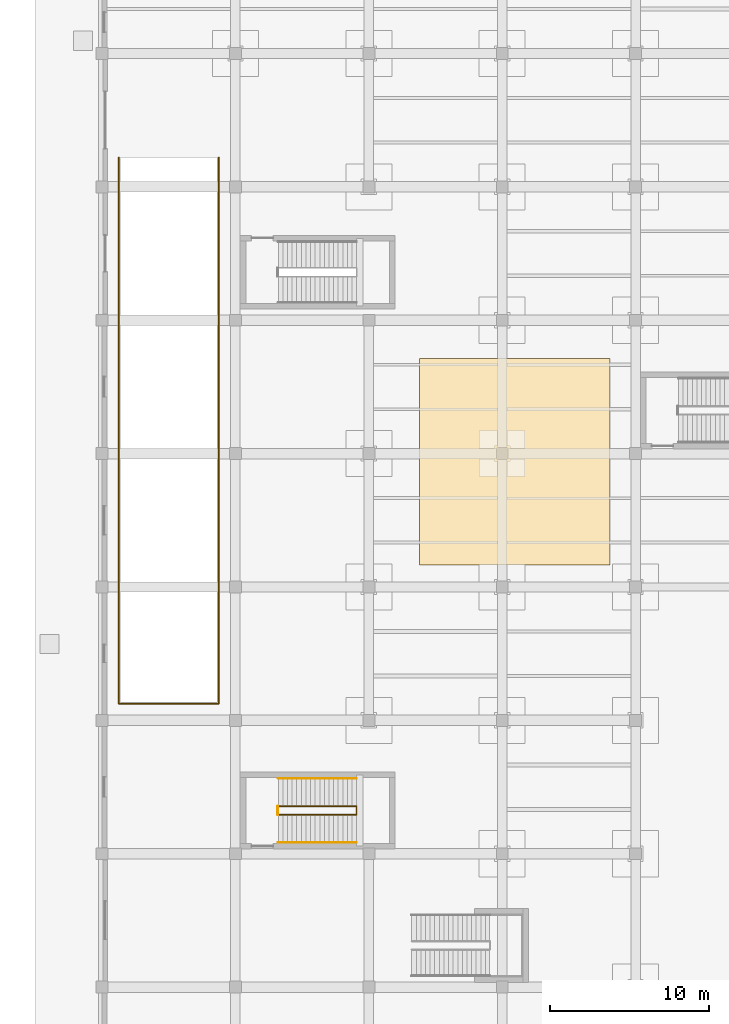
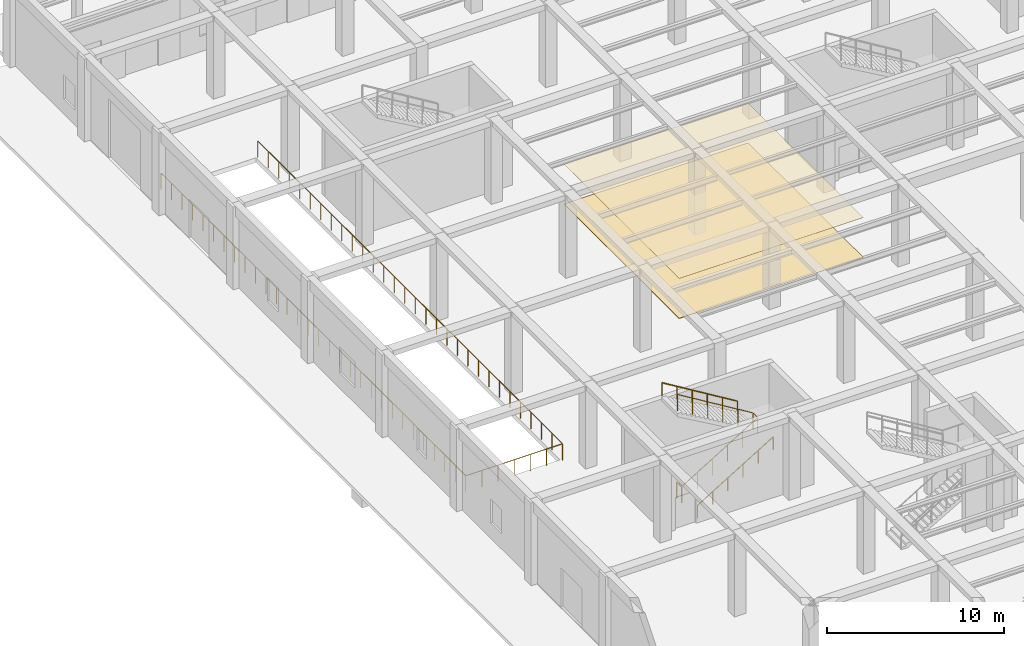
# One storey, part 36 of 43: 5 railings, 2 coverings.
"""IFC4 building model written with IfcOpenShell, lengths in metres."""

from ifc_helpers import new_model, si_unit, direction, frame, origin, origin_2d, place, context, subcontext, project, spatial, polyline, circle, outline, extrude, material, layer, layer_set, type_object, element, save


model = new_model("IFC4")

# Units and contexts
model_context = context("Model", 3, precision=1e-05, world=origin(), true_north=direction((0.0, 1.0)))
body_context = subcontext(model_context, "Body", "Model", "MODEL_VIEW")
ifc_project = project(units=[si_unit("LENGTHUNIT", "METRE"), si_unit("AREAUNIT", "SQUARE_METRE"), si_unit("VOLUMEUNIT", "CUBIC_METRE"), si_unit("PLANEANGLEUNIT", "RADIAN"), si_unit("MASSUNIT", "GRAM", prefix="KILO")], contexts=[model_context])

# Site, building, storey
site_placement = place(None, origin())
site = spatial("IfcSite", under=ifc_project, at=site_placement, CompositionType="ELEMENT")
building_placement = place(site_placement, origin())
building = spatial("IfcBuilding", under=site, at=building_placement, Name="Almacenes y Pasaje Nevantli", CompositionType="ELEMENT")
storey_placement = place(building_placement, origin())
storey = spatial("IfcBuildingStorey", under=building, at=storey_placement, Name="L01", CompositionType="ELEMENT", Elevation=0.0)

# Coverings
ifc_material_1 = material(Name="Perforated Acoustic Mineral Fiber Ceiling", Category="gypsum")
ifc_layer_1 = layer(ifc_material_1, 0.02001953125)
ifc_layer_set_1 = layer_set([ifc_layer_1], Name="Perforated Acoustic Mineral Fiber Ceiling")
covering_type_1 = type_object("IfcCoveringType", Name="COV-CEIL-ACU", PredefinedType="CEILING", material=ifc_layer_set_1)
covering_1_placement = place(storey_placement, frame((0.0, 0.0, 2.75)))
element("IfcCovering", 1, at=covering_1_placement, inside=storey, type_object=covering_type_1, Name="L01 Suspended Acoustic Ceiling Panel", PredefinedType="CEILING", context=body_context, shape_type="SweptSolid", body=[
    extrude(outline(polyline([(20.0, 77.0), (32.0, 77.0), (32.0, 90.0), (20.0, 90.0), (20.0, 77.0)])), origin(), (0.0, 0.0, 1.0), 0.02001953125),
])
ifc_material_2 = material(Name="Polished Toluca Stone Terrazzo Flooring", Category="masonry")
ifc_layer_2 = layer(ifc_material_2, 0.02490234375)
ifc_layer_set_2 = layer_set([ifc_layer_2], Name="Polished Toluca Stone Terrazzo Flooring")
covering_type_2 = type_object("IfcCoveringType", Name="COV-FLR-TERRAZZO", PredefinedType="FLOORING", material=ifc_layer_set_2)
covering_2_placement = place(storey_placement, origin())
element("IfcCovering", 2, at=covering_2_placement, inside=storey, type_object=covering_type_2, Name="L01 Polished Stone Terrazzo Floor Finish", PredefinedType="FLOORING", context=body_context, shape_type="SweptSolid", body=[
    extrude(outline(polyline([(20.0, 77.0), (32.0, 77.0), (32.0, 90.0), (20.0, 90.0), (20.0, 77.0)])), origin(), (0.0, 0.0, 1.0), 0.02490234375),
])

# Railings
ifc_material_3 = material(Name="Brushed Stainless Steel and Tempered Safety Glass", Category="steel")
railing_type_1 = type_object("IfcRailingType", Name="RL-GUARD-1100", PredefinedType="BALUSTRADE", material=ifc_material_3)
railing_1_placement = place(storey_placement, frame((11.10009765625, 61.260009765625, 0.0)))
element("IfcRailing", 3, at=railing_1_placement, inside=storey, type_object=railing_type_1, Name="L01 Stair ST-12 Inner Well Guard Balustrade", PredefinedType="BALUSTRADE", context=body_context, shape_type="SweptSolid", body=[
    extrude(circle(Radius=0.02392578125, at=origin_2d()), frame((0.025634765625, 0.0, 1.141357421875), z_axis=(0.854262269089, 0.0, 0.519842260316), x_axis=(0.0, 1.0, 0.0)), (0.0, 0.0, 1.0), 5.7109375),
    extrude(circle(Radius=0.02392578125, at=origin_2d()), frame((4.929931640625, 0.030029296875, 4.1259765625), z_axis=(0.0, 1.0, 0.0), x_axis=(-1.0, 0.0, 0.0)), (0.0, 0.0, 1.0), 0.469970703125),
    extrude(circle(Radius=0.02392578125, at=origin_2d()), frame((4.904296875, 0.530029296875, 4.141357421875), z_axis=(-0.854262269089, 0.0, 0.519842260316), x_axis=(0.0, -1.0, 0.0)), (0.0, 0.0, 1.0), 5.7109375),
    extrude(circle(Radius=0.02099609375, at=origin_2d()), origin(), (0.0, 0.0, 1.0), 1.096923828125),
    extrude(circle(Radius=0.02099609375, at=origin_2d()), frame((0.986083984375, 0.0, 0.60009765625)), (0.0, 0.0, 1.0), 1.096923828125),
    extrude(circle(Radius=0.02099609375, at=origin_2d()), frame((1.971923828125, 0.0, 1.199951171875)), (0.0, 0.0, 1.0), 1.096923828125),
    extrude(circle(Radius=0.02099609375, at=origin_2d()), frame((2.9580078125, 0.0, 1.800048828125)), (0.0, 0.0, 1.0), 1.096923828125),
    extrude(circle(Radius=0.02099609375, at=origin_2d()), frame((3.94384765625, 0.0, 2.39990234375)), (0.0, 0.0, 1.0), 1.096923828125),
    extrude(circle(Radius=0.02099609375, at=origin_2d()), frame((4.929931640625, 0.0, 3.0)), (0.0, 0.0, 1.0), 1.096923828125),
    extrude(circle(Radius=0.02099609375, at=origin_2d()), frame((4.929931640625, 0.530029296875, 3.0)), (0.0, 0.0, 1.0), 1.096923828125),
    extrude(circle(Radius=0.02099609375, at=origin_2d()), frame((3.94384765625, 0.530029296875, 3.60009765625)), (0.0, 0.0, 1.0), 1.096923828125),
    extrude(circle(Radius=0.02099609375, at=origin_2d()), frame((2.9580078125, 0.530029296875, 4.199951171875)), (0.0, 0.0, 1.0), 1.096923828125),
    extrude(circle(Radius=0.02099609375, at=origin_2d()), frame((1.971923828125, 0.530029296875, 4.800048828125)), (0.0, 0.0, 1.0), 1.096923828125),
    extrude(circle(Radius=0.02099609375, at=origin_2d()), frame((0.986083984375, 0.530029296875, 5.39990234375)), (0.0, 0.0, 1.0), 1.096923828125),
    extrude(circle(Radius=0.02099609375, at=origin_2d()), frame((0.0, 0.530029296875, 6.0)), (0.0, 0.0, 1.0), 1.096923828125),
])
railing_2_placement = place(storey_placement, frame((11.06005859375, 61.260009765625, 0.0)))
element("IfcRailing", 4, at=railing_2_placement, inside=storey, type_object=railing_type_1, Name="L01 Stair ST-12 Landing Well Slot Guard", PredefinedType="BALUSTRADE", context=body_context, shape_type="SweptSolid", body=[
    extrude(circle(Radius=0.02392578125, at=origin_2d()), frame((0.0, 0.030029296875, 1.1259765625), z_axis=(0.0, 1.0, 0.0), x_axis=(-1.0, 0.0, 0.0)), (0.0, 0.0, 1.0), 0.469970703125),
    extrude(circle(Radius=0.02099609375, at=origin_2d()), origin(), (0.0, 0.0, 1.0), 1.096923828125),
    extrude(circle(Radius=0.02099609375, at=origin_2d()), frame((0.0, 0.530029296875, 0.0)), (0.0, 0.0, 1.0), 1.096923828125),
])
railing_3_placement = place(storey_placement, frame((1.050048828125, 102.64990234375, 0.0)))
element("IfcRailing", 5, at=railing_3_placement, inside=storey, type_object=railing_type_1, Name="L01 Vehicular Ramp RP-02 Well Guard Balustrade", PredefinedType="BALUSTRADE", context=body_context, shape_type="SweptSolid", body=[
    extrude(circle(Radius=0.02392578125, at=origin_2d()), frame((0.0, -0.030029296875, 1.1259765625), z_axis=(0.0, -1.0, 0.0), x_axis=(1.0, 0.0, 0.0)), (0.0, 0.0, 1.0), 34.33984375),
    extrude(circle(Radius=0.02392578125, at=origin_2d()), frame((0.030029296875, -34.39990234375, 1.1259765625), z_axis=(1.0, 0.0, 0.0), x_axis=(0.0, 1.0, 0.0)), (0.0, 0.0, 1.0), 6.239990234375),
    extrude(circle(Radius=0.02392578125, at=origin_2d()), frame((6.300048828125, -34.369873046875, 1.1259765625), z_axis=(0.0, 1.0, 0.0), x_axis=(-1.0, 0.0, 0.0)), (0.0, 0.0, 1.0), 34.33984375),
    extrude(circle(Radius=0.02099609375, at=origin_2d()), origin(), (0.0, 0.0, 1.0), 1.096923828125),
    extrude(circle(Radius=0.02099609375, at=origin_2d()), frame((0.0, -1.186279296875, 0.0)), (0.0, 0.0, 1.0), 1.096923828125),
    extrude(circle(Radius=0.02099609375, at=origin_2d()), frame((0.0, -2.372314453125, 0.0)), (0.0, 0.0, 1.0), 1.096923828125),
    extrude(circle(Radius=0.02099609375, at=origin_2d()), frame((0.0, -3.55859375, 0.0)), (0.0, 0.0, 1.0), 1.096923828125),
    extrude(circle(Radius=0.02099609375, at=origin_2d()), frame((0.0, -4.744873046875, 0.0)), (0.0, 0.0, 1.0), 1.096923828125),
    extrude(circle(Radius=0.02099609375, at=origin_2d()), frame((0.0, -5.930908203125, 0.0)), (0.0, 0.0, 1.0), 1.096923828125),
    extrude(circle(Radius=0.02099609375, at=origin_2d()), frame((0.0, -7.1171875, 0.0)), (0.0, 0.0, 1.0), 1.096923828125),
    extrude(circle(Radius=0.02099609375, at=origin_2d()), frame((0.0, -8.303466796875, 0.0)), (0.0, 0.0, 1.0), 1.096923828125),
    extrude(circle(Radius=0.02099609375, at=origin_2d()), frame((0.0, -9.48974609375, 0.0)), (0.0, 0.0, 1.0), 1.096923828125),
    extrude(circle(Radius=0.02099609375, at=origin_2d()), frame((0.0, -10.67578125, 0.0)), (0.0, 0.0, 1.0), 1.096923828125),
    extrude(circle(Radius=0.02099609375, at=origin_2d()), frame((0.0, -11.862060546875, 0.0)), (0.0, 0.0, 1.0), 1.096923828125),
    extrude(circle(Radius=0.02099609375, at=origin_2d()), frame((0.0, -13.04833984375, 0.0)), (0.0, 0.0, 1.0), 1.096923828125),
    extrude(circle(Radius=0.02099609375, at=origin_2d()), frame((0.0, -14.234375, 0.0)), (0.0, 0.0, 1.0), 1.096923828125),
    extrude(circle(Radius=0.02099609375, at=origin_2d()), frame((0.0, -15.420654296875, 0.0)), (0.0, 0.0, 1.0), 1.096923828125),
    extrude(circle(Radius=0.02099609375, at=origin_2d()), frame((0.0, -16.60693359375, 0.0)), (0.0, 0.0, 1.0), 1.096923828125),
    extrude(circle(Radius=0.02099609375, at=origin_2d()), frame((0.0, -17.79296875, 0.0)), (0.0, 0.0, 1.0), 1.096923828125),
    extrude(circle(Radius=0.02099609375, at=origin_2d()), frame((0.0, -18.979248046875, 0.0)), (0.0, 0.0, 1.0), 1.096923828125),
    extrude(circle(Radius=0.02099609375, at=origin_2d()), frame((0.0, -20.16552734375, 0.0)), (0.0, 0.0, 1.0), 1.096923828125),
    extrude(circle(Radius=0.02099609375, at=origin_2d()), frame((0.0, -21.3515625, 0.0)), (0.0, 0.0, 1.0), 1.096923828125),
    extrude(circle(Radius=0.02099609375, at=origin_2d()), frame((0.0, -22.537841796875, 0.0)), (0.0, 0.0, 1.0), 1.096923828125),
    extrude(circle(Radius=0.02099609375, at=origin_2d()), frame((0.0, -23.72412109375, 0.0)), (0.0, 0.0, 1.0), 1.096923828125),
    extrude(circle(Radius=0.02099609375, at=origin_2d()), frame((0.0, -24.91015625, 0.0)), (0.0, 0.0, 1.0), 1.096923828125),
    extrude(circle(Radius=0.02099609375, at=origin_2d()), frame((0.0, -26.096435546875, 0.0)), (0.0, 0.0, 1.0), 1.096923828125),
    extrude(circle(Radius=0.02099609375, at=origin_2d()), frame((0.0, -27.28271484375, 0.0)), (0.0, 0.0, 1.0), 1.096923828125),
    extrude(circle(Radius=0.02099609375, at=origin_2d()), frame((0.0, -28.468994140625, 0.0)), (0.0, 0.0, 1.0), 1.096923828125),
    extrude(circle(Radius=0.02099609375, at=origin_2d()), frame((0.0, -29.655029296875, 0.0)), (0.0, 0.0, 1.0), 1.096923828125),
    extrude(circle(Radius=0.02099609375, at=origin_2d()), frame((0.0, -30.84130859375, 0.0)), (0.0, 0.0, 1.0), 1.096923828125),
    extrude(circle(Radius=0.02099609375, at=origin_2d()), frame((0.0, -32.027587890625, 0.0)), (0.0, 0.0, 1.0), 1.096923828125),
    extrude(circle(Radius=0.02099609375, at=origin_2d()), frame((0.0, -33.213623046875, 0.0)), (0.0, 0.0, 1.0), 1.096923828125),
    extrude(circle(Radius=0.02099609375, at=origin_2d()), frame((0.0, -34.39990234375, 0.0)), (0.0, 0.0, 1.0), 1.096923828125),
    extrude(circle(Radius=0.02099609375, at=origin_2d()), frame((1.050048828125, -34.39990234375, 0.0)), (0.0, 0.0, 1.0), 1.096923828125),
    extrude(circle(Radius=0.02099609375, at=origin_2d()), frame((2.10009765625, -34.39990234375, 0.0)), (0.0, 0.0, 1.0), 1.096923828125),
    extrude(circle(Radius=0.02099609375, at=origin_2d()), frame((3.14990234375, -34.39990234375, 0.0)), (0.0, 0.0, 1.0), 1.096923828125),
    extrude(circle(Radius=0.02099609375, at=origin_2d()), frame((4.199951171875, -34.39990234375, 0.0)), (0.0, 0.0, 1.0), 1.096923828125),
    extrude(circle(Radius=0.02099609375, at=origin_2d()), frame((5.25, -34.39990234375, 0.0)), (0.0, 0.0, 1.0), 1.096923828125),
    extrude(circle(Radius=0.02099609375, at=origin_2d()), frame((6.300048828125, -34.39990234375, 0.0)), (0.0, 0.0, 1.0), 1.096923828125),
    extrude(circle(Radius=0.02099609375, at=origin_2d()), frame((6.300048828125, -33.213623046875, 0.0)), (0.0, 0.0, 1.0), 1.096923828125),
    extrude(circle(Radius=0.02099609375, at=origin_2d()), frame((6.300048828125, -32.027587890625, 0.0)), (0.0, 0.0, 1.0), 1.096923828125),
    extrude(circle(Radius=0.02099609375, at=origin_2d()), frame((6.300048828125, -30.84130859375, 0.0)), (0.0, 0.0, 1.0), 1.096923828125),
    extrude(circle(Radius=0.02099609375, at=origin_2d()), frame((6.300048828125, -29.655029296875, 0.0)), (0.0, 0.0, 1.0), 1.096923828125),
    extrude(circle(Radius=0.02099609375, at=origin_2d()), frame((6.300048828125, -28.468994140625, 0.0)), (0.0, 0.0, 1.0), 1.096923828125),
    extrude(circle(Radius=0.02099609375, at=origin_2d()), frame((6.300048828125, -27.28271484375, 0.0)), (0.0, 0.0, 1.0), 1.096923828125),
    extrude(circle(Radius=0.02099609375, at=origin_2d()), frame((6.300048828125, -26.096435546875, 0.0)), (0.0, 0.0, 1.0), 1.096923828125),
    extrude(circle(Radius=0.02099609375, at=origin_2d()), frame((6.300048828125, -24.91015625, 0.0)), (0.0, 0.0, 1.0), 1.096923828125),
    extrude(circle(Radius=0.02099609375, at=origin_2d()), frame((6.300048828125, -23.72412109375, 0.0)), (0.0, 0.0, 1.0), 1.096923828125),
    extrude(circle(Radius=0.02099609375, at=origin_2d()), frame((6.300048828125, -22.537841796875, 0.0)), (0.0, 0.0, 1.0), 1.096923828125),
    extrude(circle(Radius=0.02099609375, at=origin_2d()), frame((6.300048828125, -21.3515625, 0.0)), (0.0, 0.0, 1.0), 1.096923828125),
    extrude(circle(Radius=0.02099609375, at=origin_2d()), frame((6.300048828125, -20.16552734375, 0.0)), (0.0, 0.0, 1.0), 1.096923828125),
    extrude(circle(Radius=0.02099609375, at=origin_2d()), frame((6.300048828125, -18.979248046875, 0.0)), (0.0, 0.0, 1.0), 1.096923828125),
    extrude(circle(Radius=0.02099609375, at=origin_2d()), frame((6.300048828125, -17.79296875, 0.0)), (0.0, 0.0, 1.0), 1.096923828125),
    extrude(circle(Radius=0.02099609375, at=origin_2d()), frame((6.300048828125, -16.60693359375, 0.0)), (0.0, 0.0, 1.0), 1.096923828125),
    extrude(circle(Radius=0.02099609375, at=origin_2d()), frame((6.300048828125, -15.420654296875, 0.0)), (0.0, 0.0, 1.0), 1.096923828125),
    extrude(circle(Radius=0.02099609375, at=origin_2d()), frame((6.300048828125, -14.234375, 0.0)), (0.0, 0.0, 1.0), 1.096923828125),
    extrude(circle(Radius=0.02099609375, at=origin_2d()), frame((6.300048828125, -13.04833984375, 0.0)), (0.0, 0.0, 1.0), 1.096923828125),
    extrude(circle(Radius=0.02099609375, at=origin_2d()), frame((6.300048828125, -11.862060546875, 0.0)), (0.0, 0.0, 1.0), 1.096923828125),
    extrude(circle(Radius=0.02099609375, at=origin_2d()), frame((6.300048828125, -10.67578125, 0.0)), (0.0, 0.0, 1.0), 1.096923828125),
    extrude(circle(Radius=0.02099609375, at=origin_2d()), frame((6.300048828125, -9.48974609375, 0.0)), (0.0, 0.0, 1.0), 1.096923828125),
    extrude(circle(Radius=0.02099609375, at=origin_2d()), frame((6.300048828125, -8.303466796875, 0.0)), (0.0, 0.0, 1.0), 1.096923828125),
    extrude(circle(Radius=0.02099609375, at=origin_2d()), frame((6.300048828125, -7.1171875, 0.0)), (0.0, 0.0, 1.0), 1.096923828125),
    extrude(circle(Radius=0.02099609375, at=origin_2d()), frame((6.300048828125, -5.930908203125, 0.0)), (0.0, 0.0, 1.0), 1.096923828125),
    extrude(circle(Radius=0.02099609375, at=origin_2d()), frame((6.300048828125, -4.744873046875, 0.0)), (0.0, 0.0, 1.0), 1.096923828125),
    extrude(circle(Radius=0.02099609375, at=origin_2d()), frame((6.300048828125, -3.55859375, 0.0)), (0.0, 0.0, 1.0), 1.096923828125),
    extrude(circle(Radius=0.02099609375, at=origin_2d()), frame((6.300048828125, -2.372314453125, 0.0)), (0.0, 0.0, 1.0), 1.096923828125),
    extrude(circle(Radius=0.02099609375, at=origin_2d()), frame((6.300048828125, -1.186279296875, 0.0)), (0.0, 0.0, 1.0), 1.096923828125),
    extrude(circle(Radius=0.02099609375, at=origin_2d()), frame((6.300048828125, 0.0, 0.0)), (0.0, 0.0, 1.0), 1.096923828125),
])
ifc_material_4 = material(Name="Brushed Stainless Steel Tube", Category="steel")
railing_type_2 = type_object("IfcRailingType", Name="RL-HANDRAIL-900", PredefinedType="HANDRAIL", material=ifc_material_4)
railing_4_placement = place(storey_placement, frame((11.10009765625, 59.510009765625, 0.0)))
element("IfcRailing", 6, at=railing_4_placement, inside=storey, type_object=railing_type_2, Name="L01 Stair ST-12 Lower Flight Handrail", PredefinedType="HANDRAIL", context=body_context, shape_type="SweptSolid", body=[
    extrude(circle(Radius=0.02392578125, at=origin_2d()), frame((0.025634765625, 0.0, 0.891357421875), z_axis=(0.854262269089, 0.0, 0.519842260316), x_axis=(0.0, 1.0, 0.0)), (0.0, 0.0, 1.0), 5.7109375),
    extrude(circle(Radius=0.02099609375, at=origin_2d()), origin(), (0.0, 0.0, 1.0), 0.846923828125),
    extrude(circle(Radius=0.02099609375, at=origin_2d()), frame((0.986083984375, 0.0, 0.60009765625)), (0.0, 0.0, 1.0), 0.846923828125),
    extrude(circle(Radius=0.02099609375, at=origin_2d()), frame((1.971923828125, 0.0, 1.199951171875)), (0.0, 0.0, 1.0), 0.846923828125),
    extrude(circle(Radius=0.02099609375, at=origin_2d()), frame((2.9580078125, 0.0, 1.800048828125)), (0.0, 0.0, 1.0), 0.846923828125),
    extrude(circle(Radius=0.02099609375, at=origin_2d()), frame((3.94384765625, 0.0, 2.39990234375)), (0.0, 0.0, 1.0), 0.846923828125),
    extrude(circle(Radius=0.02099609375, at=origin_2d()), frame((4.929931640625, 0.0, 3.0)), (0.0, 0.0, 1.0), 0.846923828125),
])
railing_5_placement = place(storey_placement, frame((16.030029296875, 63.5400390625, 3.0)))
element("IfcRailing", 7, at=railing_5_placement, inside=storey, type_object=railing_type_2, Name="L01 Stair ST-12 Upper Flight Handrail", PredefinedType="HANDRAIL", context=body_context, shape_type="SweptSolid", body=[
    extrude(circle(Radius=0.02392578125, at=origin_2d()), frame((-0.025634765625, 0.0, 0.891357421875), z_axis=(-0.854262269089, 0.0, 0.519842260316), x_axis=(0.0, -1.0, 0.0)), (0.0, 0.0, 1.0), 5.7109375),
    extrude(circle(Radius=0.02099609375, at=origin_2d()), origin(), (0.0, 0.0, 1.0), 0.846923828125),
    extrude(circle(Radius=0.02099609375, at=origin_2d()), frame((-0.986083984375, 0.0, 0.60009765625)), (0.0, 0.0, 1.0), 0.846923828125),
    extrude(circle(Radius=0.02099609375, at=origin_2d()), frame((-1.971923828125, 0.0, 1.199951171875)), (0.0, 0.0, 1.0), 0.846923828125),
    extrude(circle(Radius=0.02099609375, at=origin_2d()), frame((-2.9580078125, 0.0, 1.800048828125)), (0.0, 0.0, 1.0), 0.846923828125),
    extrude(circle(Radius=0.02099609375, at=origin_2d()), frame((-3.94384765625, 0.0, 2.39990234375)), (0.0, 0.0, 1.0), 0.846923828125),
    extrude(circle(Radius=0.02099609375, at=origin_2d()), frame((-4.929931640625, 0.0, 3.0)), (0.0, 0.0, 1.0), 0.846923828125),
])

save(model, "model.ifc")
